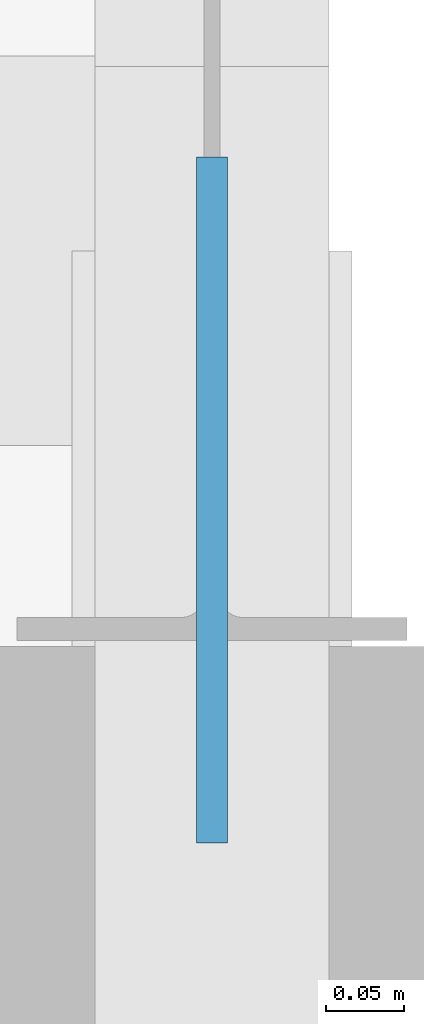
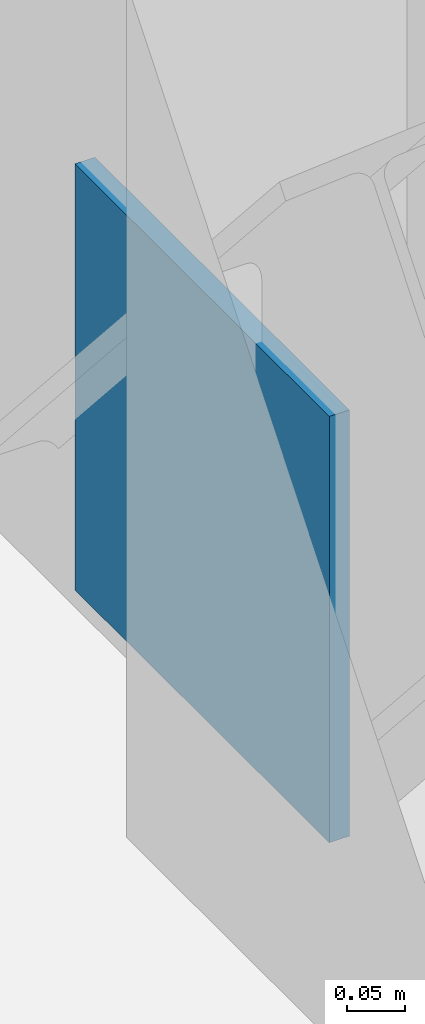
# One storey, part 56 of 63: 1 discrete accessory.
"""IFC4 building model written with IfcOpenShell, lengths in metres."""

from ifc_helpers import new_model, si_unit, direction, frame, origin, origin_2d, place, context, subcontext, project, spatial, rectangle, extrude, material, layer, layer_set, type_object, element, save


model = new_model("IFC4")

# Units and contexts
model_context = context("Model", 3, precision=1e-05, world=origin(), true_north=direction((0.0, 1.0)))
body_context = subcontext(model_context, "Body", "Model", "MODEL_VIEW")
ifc_project = project(units=[si_unit("LENGTHUNIT", "METRE"), si_unit("AREAUNIT", "SQUARE_METRE"), si_unit("VOLUMEUNIT", "CUBIC_METRE"), si_unit("PLANEANGLEUNIT", "RADIAN"), si_unit("MASSUNIT", "GRAM", prefix="KILO")], contexts=[model_context])

# Site, building, storey
site_placement = place(None, origin())
site = spatial("IfcSite", under=ifc_project, at=site_placement, CompositionType="ELEMENT")
building_placement = place(site_placement, origin())
building = spatial("IfcBuilding", under=site, at=building_placement, Name="Varnakota Square Police Headquarters", CompositionType="ELEMENT")
storey_placement = place(building_placement, frame((0.0, 0.0, 22.199951171875)))
storey = spatial("IfcBuildingStorey", under=building, at=storey_placement, Name="L05", CompositionType="ELEMENT", Elevation=22.199951171875)

# Discrete accessory
ifc_material = material(Name="Steel IS 2062 Grade 350", Category="steel")
ifc_layer = layer(ifc_material, 0.64990234375, Name="Steel IS 2062 Grade 350")
ifc_layer_set = layer_set([ifc_layer], Name="Steel IS 2062 Grade 350")
discrete_accessory_type = type_object("IfcDiscreteAccessoryType", Name="ACC-EMB-350", PredefinedType="BRACKET", material=ifc_layer_set)
discrete_accessory_placement = place(storey_placement, frame((42.0, 32.840087890625, 0.02490234375), z_axis=(0.0, 0.0, 1.0), x_axis=(0.0, 1.0, 0.0)))
element("IfcDiscreteAccessory", 1, at=discrete_accessory_placement, inside=storey, type_object=discrete_accessory_type, Name="Brace gusset connection plate BF3 L05 R", PredefinedType="BRACKET", context=body_context, shape_type="SweptSolid", body=[
    extrude(rectangle(XDim=0.43994140625, YDim=0.02001953125, at=origin_2d()), origin(), (0.0, 0.0, 1.0), 0.449951171875),
])

save(model, "model.ifc")
